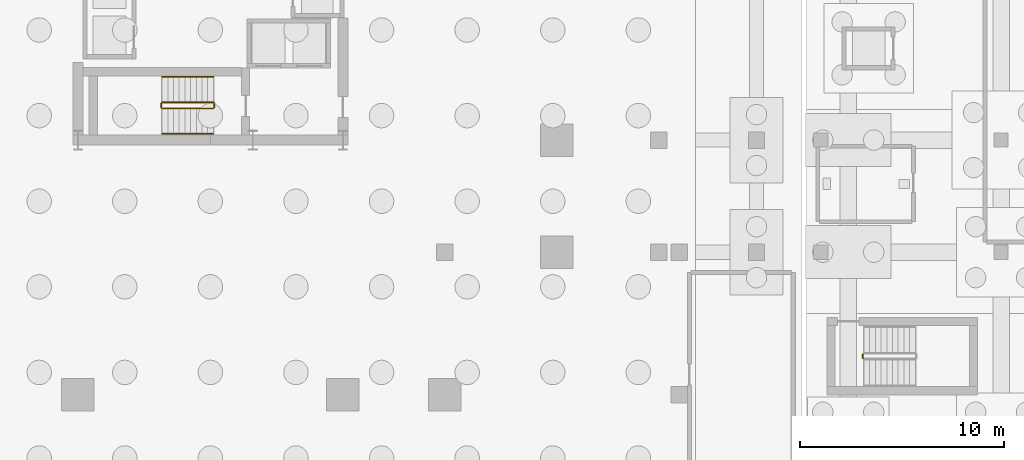
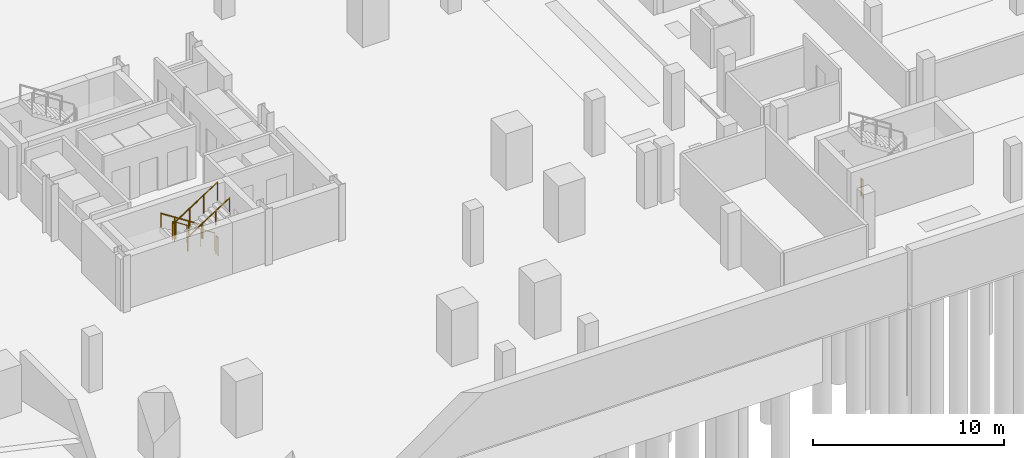
# One storey, part 8 of 13: 7 railings.
"""IFC4 building model written with IfcOpenShell, lengths in metres."""

from ifc_helpers import new_model, si_unit, direction, frame, origin, origin_2d, place, context, subcontext, project, spatial, circle, extrude, material, type_object, element, save


model = new_model("IFC4")

# Units and contexts
model_context = context("Model", 3, precision=1e-05, world=origin(), true_north=direction((0.0, 1.0)))
body_context = subcontext(model_context, "Body", "Model", "MODEL_VIEW")
ifc_project = project(units=[si_unit("LENGTHUNIT", "METRE"), si_unit("AREAUNIT", "SQUARE_METRE"), si_unit("VOLUMEUNIT", "CUBIC_METRE"), si_unit("PLANEANGLEUNIT", "RADIAN"), si_unit("MASSUNIT", "GRAM", prefix="KILO")], contexts=[model_context])

# Site, building, storey
site_placement = place(None, origin())
site = spatial("IfcSite", under=ifc_project, at=site_placement, CompositionType="ELEMENT")
building_placement = place(site_placement, origin())
building = spatial("IfcBuilding", under=site, at=building_placement, Name="Barlavira Tower and Art Museum", CompositionType="ELEMENT")
storey_placement = place(building_placement, frame((0.0, 0.0, -7.199951171875)))
storey = spatial("IfcBuildingStorey", under=building, at=storey_placement, Name="B02", CompositionType="ELEMENT", Elevation=-7.199951171875)

# Railings
ifc_material = material(Name="Brushed stainless steel", Category="steel")
railing_type_1 = type_object("IfcRailingType", Name="Interior Void and Landing Guard Railing 1150", PredefinedType="GUARDRAIL", material=ifc_material)
railing_1_placement = place(storey_placement, frame((0.14990234375, -5.64990234375, 0.179931640625)))
element("IfcRailing", 1, at=railing_1_placement, inside=storey, type_object=railing_type_1, Name="B02 ST-T1 stair guard 1", PredefinedType="GUARDRAIL", context=body_context, shape_type="SweptSolid", body=[
    extrude(circle(Radius=0.02392578125, at=origin_2d()), frame((0.0, 0.0, 1.1259765625), z_axis=(-0.841162588446, 0.0, 0.540782303519), x_axis=(0.0, -1.0, 0.0)), (0.0, 0.0, 1.0), 2.995849609375),
    extrude(circle(Radius=0.02099609375, at=origin_2d()), origin(), (0.0, 0.0, 1.0), 1.101806640625),
    extrude(circle(Radius=0.02099609375, at=origin_2d()), frame((-0.840087890625, 0.0, 0.5400390625)), (0.0, 0.0, 1.0), 1.101806640625),
    extrude(circle(Radius=0.02099609375, at=origin_2d()), frame((-1.679931640625, 0.0, 1.080078125)), (0.0, 0.0, 1.0), 1.101806640625),
    extrude(circle(Radius=0.02099609375, at=origin_2d()), frame((-2.52001953125, 0.0, 1.6201171875)), (0.0, 0.0, 1.0), 1.101806640625),
])
railing_2_placement = place(storey_placement, frame((-2.419921875, -5.699951171875, 1.800048828125)))
element("IfcRailing", 2, at=railing_2_placement, inside=storey, type_object=railing_type_1, Name="B02 ST-T1 stair guard 2", PredefinedType="GUARDRAIL", context=body_context, shape_type="SweptSolid", body=[
    extrude(circle(Radius=0.02392578125, at=origin_2d()), frame((0.0, 0.0, 1.1259765625), z_axis=(0.0, -1.0, 0.0), x_axis=(1.0, 0.0, 0.0)), (0.0, 0.0, 1.0), 0.199951171875),
    extrude(circle(Radius=0.02099609375, at=origin_2d()), origin(), (0.0, 0.0, 1.0), 1.101806640625),
    extrude(circle(Radius=0.02099609375, at=origin_2d()), frame((0.0, -0.199951171875, 0.0)), (0.0, 0.0, 1.0), 1.101806640625),
])
railing_3_placement = place(storey_placement, frame((-2.3701171875, -5.949951171875, 1.97998046875)))
element("IfcRailing", 3, at=railing_3_placement, inside=storey, type_object=railing_type_1, Name="B02 ST-T1 stair guard 3", PredefinedType="GUARDRAIL", context=body_context, shape_type="SweptSolid", body=[
    extrude(circle(Radius=0.02392578125, at=origin_2d()), frame((0.0, 0.0, 1.1259765625), z_axis=(0.841199657755, 0.0, 0.540724639528), x_axis=(0.0, 1.0, 0.0)), (0.0, 0.0, 1.0), 2.995849609375),
    extrude(circle(Radius=0.02099609375, at=origin_2d()), origin(), (0.0, 0.0, 1.0), 1.101806640625),
    extrude(circle(Radius=0.02099609375, at=origin_2d()), frame((0.840087890625, 0.0, 0.5400390625)), (0.0, 0.0, 1.0), 1.101806640625),
    extrude(circle(Radius=0.02099609375, at=origin_2d()), frame((1.679931640625, 0.0, 1.079833984375)), (0.0, 0.0, 1.0), 1.101806640625),
    extrude(circle(Radius=0.02099609375, at=origin_2d()), frame((2.52001953125, 0.0, 1.619873046875)), (0.0, 0.0, 1.0), 1.101806640625),
])
railing_4_placement = place(storey_placement, frame((0.199951171875, -5.699951171875, 0.0)))
element("IfcRailing", 4, at=railing_4_placement, inside=storey, type_object=railing_type_1, Name="B02 ST-T1 stair guard 4", PredefinedType="GUARDRAIL", context=body_context, shape_type="SweptSolid", body=[
    extrude(circle(Radius=0.02392578125, at=origin_2d()), frame((0.0, 0.0, 1.1259765625), z_axis=(0.0, -1.0, 0.0), x_axis=(1.0, 0.0, 0.0)), (0.0, 0.0, 1.0), 0.199951171875),
    extrude(circle(Radius=0.02099609375, at=origin_2d()), origin(), (0.0, 0.0, 1.0), 1.101806640625),
    extrude(circle(Radius=0.02099609375, at=origin_2d()), frame((0.0, -0.199951171875, 0.0)), (0.0, 0.0, 1.0), 1.101806640625),
])
railing_5_placement = place(storey_placement, frame((32.02001953125, -18.199951171875, 0.0)))
element("IfcRailing", 5, at=railing_5_placement, inside=storey, type_object=railing_type_1, Name="B02 ST-M1 stair guard 4", PredefinedType="GUARDRAIL", context=body_context, shape_type="SweptSolid", body=[
    extrude(circle(Radius=0.02392578125, at=origin_2d()), frame((0.0, 0.0, 1.1259765625), z_axis=(0.0, 1.0, 0.0), x_axis=(-1.0, 0.0, 0.0)), (0.0, 0.0, 1.0), 0.199951171875),
    extrude(circle(Radius=0.02099609375, at=origin_2d()), origin(), (0.0, 0.0, 1.0), 1.101806640625),
    extrude(circle(Radius=0.02099609375, at=origin_2d()), frame((0.0, 0.199951171875, 0.0)), (0.0, 0.0, 1.0), 1.101806640625),
])
railing_type_2 = type_object("IfcRailingType", Name="Stair Pitch Tubular Steel Handrail 920", PredefinedType="HANDRAIL", material=ifc_material)
railing_6_placement = place(storey_placement, frame((0.14990234375, -4.39990234375, 0.179931640625)))
element("IfcRailing", 6, at=railing_6_placement, inside=storey, type_object=railing_type_2, Name="B02 ST-T1 stair handrail 1", PredefinedType="HANDRAIL", context=body_context, shape_type="SweptSolid", body=[
    extrude(circle(Radius=0.02392578125, at=origin_2d()), frame((0.0, 0.0, 0.8759765625), z_axis=(-0.841162588446, 0.0, 0.540782303519), x_axis=(0.0, -1.0, 0.0)), (0.0, 0.0, 1.0), 2.995849609375),
    extrude(circle(Radius=0.02099609375, at=origin_2d()), origin(), (0.0, 0.0, 1.0), 0.851806640625),
    extrude(circle(Radius=0.02099609375, at=origin_2d()), frame((-0.840087890625, 0.0, 0.5400390625)), (0.0, 0.0, 1.0), 0.851806640625),
    extrude(circle(Radius=0.02099609375, at=origin_2d()), frame((-1.679931640625, 0.0, 1.080078125)), (0.0, 0.0, 1.0), 0.851806640625),
    extrude(circle(Radius=0.02099609375, at=origin_2d()), frame((-2.52001953125, 0.0, 1.6201171875)), (0.0, 0.0, 1.0), 0.851806640625),
])
railing_7_placement = place(storey_placement, frame((-2.3701171875, -7.199951171875, 1.97998046875)))
element("IfcRailing", 7, at=railing_7_placement, inside=storey, type_object=railing_type_2, Name="B02 ST-T1 stair handrail 2", PredefinedType="HANDRAIL", context=body_context, shape_type="SweptSolid", body=[
    extrude(circle(Radius=0.02392578125, at=origin_2d()), frame((0.0, 0.0, 0.8759765625), z_axis=(0.841199657755, 0.0, 0.540724639528), x_axis=(0.0, 1.0, 0.0)), (0.0, 0.0, 1.0), 2.995849609375),
    extrude(circle(Radius=0.02099609375, at=origin_2d()), origin(), (0.0, 0.0, 1.0), 0.851806640625),
    extrude(circle(Radius=0.02099609375, at=origin_2d()), frame((0.840087890625, 0.0, 0.5400390625)), (0.0, 0.0, 1.0), 0.851806640625),
    extrude(circle(Radius=0.02099609375, at=origin_2d()), frame((1.679931640625, 0.0, 1.079833984375)), (0.0, 0.0, 1.0), 0.851806640625),
    extrude(circle(Radius=0.02099609375, at=origin_2d()), frame((2.52001953125, 0.0, 1.619873046875)), (0.0, 0.0, 1.0), 0.851806640625),
])

save(model, "model.ifc")
